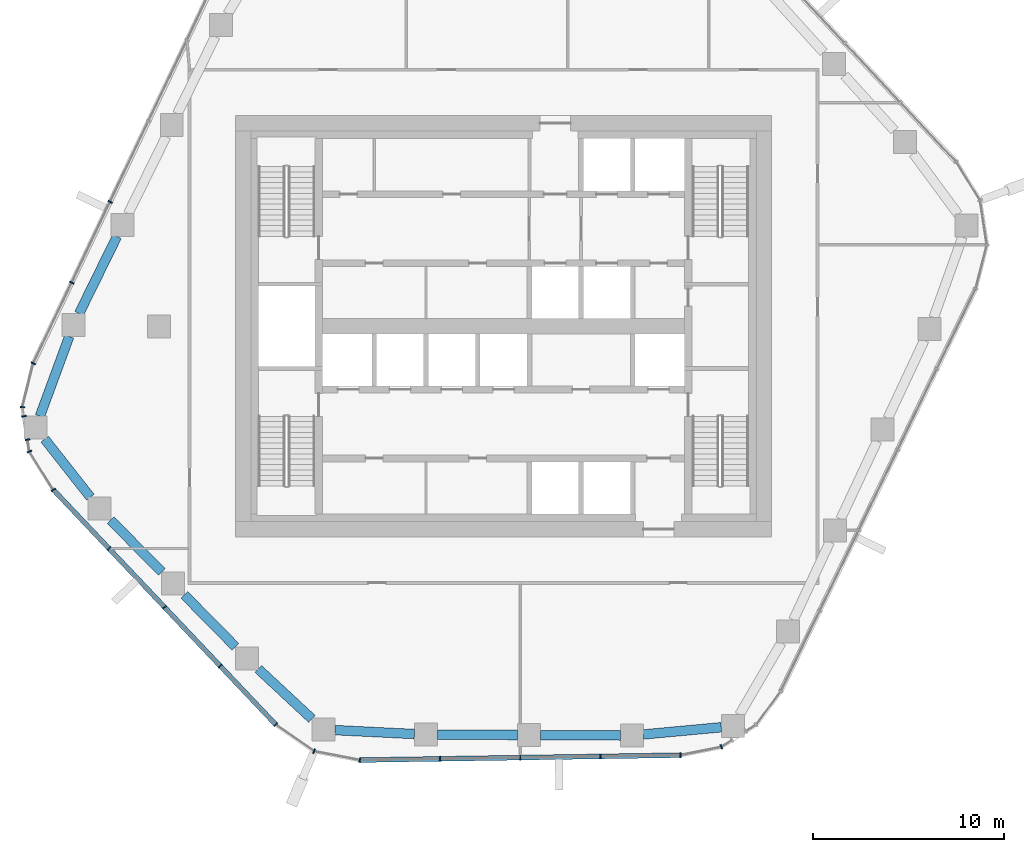
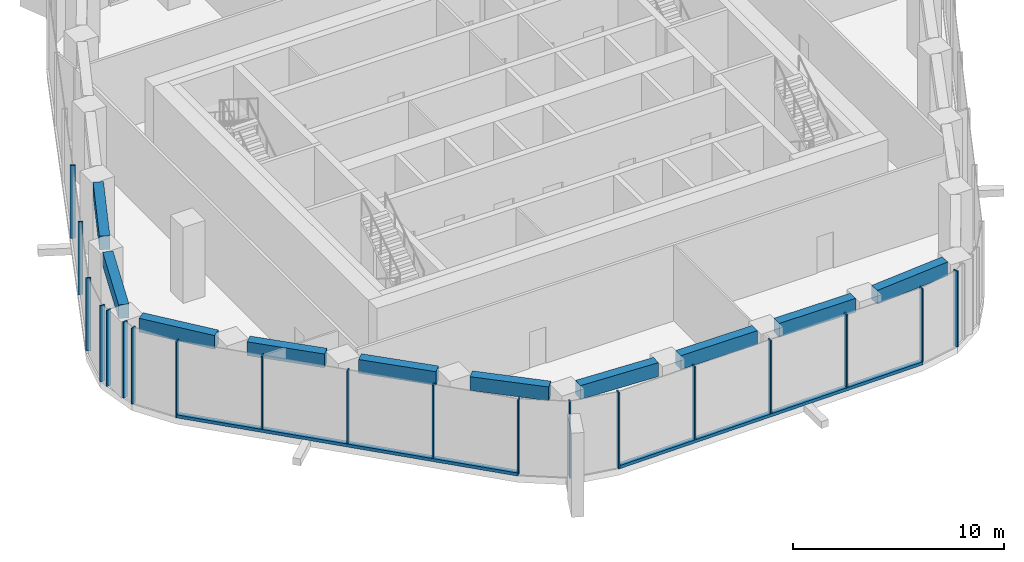
# One storey, part 2 of 16: 21 members, 10 beams, 7 elements without a shape of their own.
"""IFC4 building model written with IfcOpenShell, lengths in metres."""

from ifc_helpers import new_model, si_unit, direction, frame, origin, origin_2d, place, context, subcontext, project, spatial, rectangle, extrude, material, layer, layer_set, material_profile, profile_set, type_object, element, aggregate, save


model = new_model("IFC4")

# Units and contexts
model_context = context("Model", 3, precision=1e-05, world=origin(), true_north=direction((0.0, 1.0)))
body_context = subcontext(model_context, "Body", "Model", "MODEL_VIEW")
ifc_project = project(units=[si_unit("LENGTHUNIT", "METRE"), si_unit("AREAUNIT", "SQUARE_METRE"), si_unit("VOLUMEUNIT", "CUBIC_METRE"), si_unit("PLANEANGLEUNIT", "RADIAN"), si_unit("MASSUNIT", "GRAM", prefix="KILO")], contexts=[model_context])

# Site, building, storey
site_placement = place(None, origin())
site = spatial("IfcSite", under=ifc_project, at=site_placement, CompositionType="ELEMENT")
building_placement = place(site_placement, origin())
building = spatial("IfcBuilding", under=site, at=building_placement, Name="Dongbaek Canopy Tower", CompositionType="ELEMENT")
storey_placement = place(building_placement, frame((0.0, 0.0, 215.60009765625)))
storey = spatial("IfcBuildingStorey", under=building, at=storey_placement, Name="L45", CompositionType="ELEMENT", Elevation=215.60009765625)

# Curtain wall, members
ifc_material_1 = material(Name="Aluminium 6063-T6 pale anodised", Category="aluminium")
ifc_layer = layer(ifc_material_1, 0.25)
ifc_layer_set = layer_set([ifc_layer], Name="CW-4 sky-lobby curtain wall")
curtain_wall_type = type_object("IfcCurtainWallType", Name="CW-4 sky-lobby curtain wall", PredefinedType="NOTDEFINED", material=ifc_layer_set)
curtain_wall_1_placement = place(storey_placement, origin())
curtain_wall_1 = element("IfcCurtainWall", 1, at=curtain_wall_1_placement, inside=storey, type_object=curtain_wall_type, Name="CW-4 curtain wall F2.1", PredefinedType="NOTDEFINED")
ifc_material_2 = material(Name="Aluminium 6063-T6 pale anodised", Category="aluminium")
ifc_material_profile_1 = material_profile(ifc_material_2, rectangle(XDim=0.25, YDim=0.070068359375, at=origin_2d()), Name="CW-4 mullion 70 x 250")
ifc_profile_set_1 = profile_set([ifc_material_profile_1], Name="Aluminium 6063-T6 pale anodised")
member_type_1 = type_object("IfcMemberType", Name="CW-4 mullion 70 x 250", PredefinedType="MULLION", material=ifc_profile_set_1)
member_1_placement = place(storey_placement, frame((-20.548828125, 6.499755859375, 0.179931640625), z_axis=(0.0, 0.0, 1.0), x_axis=(-0.90312650955, 0.429374554146, 0.0)))
member_1 = element("IfcMember", 2, at=member_1_placement, type_object=member_type_1, Name="CW-4 mullion F2.1.4", PredefinedType="MULLION", context=body_context, shape_type="SweptSolid", body=[
    extrude(rectangle(XDim=0.25, YDim=0.070068359375, at=origin_2d()), origin(), (0.0, 0.0, 1.0), 4.219970703125),
])
member_2_placement = place(storey_placement, frame((-22.55615234375, 2.278076171875, 0.179931640625), z_axis=(0.0, 0.0, 1.0), x_axis=(-0.90312650955, 0.429374554146, 0.0)))
member_2 = element("IfcMember", 3, at=member_2_placement, type_object=member_type_1, Name="CW-4 mullion F2.1.5", PredefinedType="MULLION", context=body_context, shape_type="SweptSolid", body=[
    extrude(rectangle(XDim=0.25, YDim=0.070068359375, at=origin_2d()), origin(), (0.0, 0.0, 1.0), 4.219970703125),
])
member_3_placement = place(storey_placement, frame((-24.558837890625, -1.9345703125, 0.179931640625), z_axis=(0.0, 0.0, 1.0), x_axis=(-0.90312650955, 0.429374554146, 0.0)))
member_3 = element("IfcMember", 4, at=member_3_placement, type_object=member_type_1, Name="CW-4 mullion F2.1.6", PredefinedType="MULLION", context=body_context, shape_type="SweptSolid", body=[
    extrude(rectangle(XDim=0.25, YDim=0.070068359375, at=origin_2d()), origin(), (0.0, 0.0, 1.0), 4.219970703125),
])
aggregate(curtain_wall_1, [member_1, member_2, member_3])

curtain_wall_2_placement = place(storey_placement, origin())
curtain_wall_2 = element("IfcCurtainWall", 5, at=curtain_wall_2_placement, inside=storey, type_object=curtain_wall_type, Name="CW-4 curtain wall K3.1a", PredefinedType="NOTDEFINED")
member_4_placement = place(storey_placement, frame((-25.127197265625, -4.22265625, 0.0), z_axis=(0.0, 0.0, 1.0), x_axis=(-0.999069486431, 0.043129587085, 0.0)))
member_4 = element("IfcMember", 6, at=member_4_placement, type_object=member_type_1, Name="CW-4 mullion K3.1a.2", PredefinedType="MULLION", context=body_context, shape_type="SweptSolid", body=[
    extrude(rectangle(XDim=0.25, YDim=0.070068359375, at=origin_2d()), origin(), (0.0, 0.0, 1.0), 4.39990234375),
])
member_5_placement = place(storey_placement, frame((-25.052001953125, -4.69677734375, 0.0), z_axis=(0.0, 0.0, 1.0), x_axis=(-0.987671756549, -0.156539136688, 0.0)))
member_5 = element("IfcMember", 7, at=member_5_placement, type_object=member_type_1, Name="CW-4 mullion K3.1a.3", PredefinedType="MULLION", context=body_context, shape_type="SweptSolid", body=[
    extrude(rectangle(XDim=0.25, YDim=0.070068359375, at=origin_2d()), origin(), (0.0, 0.0, 1.0), 4.39990234375),
])
aggregate(curtain_wall_2, [member_4, member_5])

curtain_wall_3_placement = place(storey_placement, origin())
curtain_wall_3 = element("IfcCurtainWall", 8, at=curtain_wall_3_placement, inside=storey, type_object=curtain_wall_type, Name="CW-4 curtain wall K3.1b", PredefinedType="NOTDEFINED")
member_6_placement = place(storey_placement, frame((-24.8583984375, -5.918212890625, 0.0), z_axis=(0.0, 0.0, 1.0), x_axis=(-0.987671756549, -0.156539136688, 0.0)))
member_6 = element("IfcMember", 9, at=member_6_placement, type_object=member_type_1, Name="CW-4 mullion K3.1b.1", PredefinedType="MULLION", context=body_context, shape_type="SweptSolid", body=[
    extrude(rectangle(XDim=0.25, YDim=0.070068359375, at=origin_2d()), origin(), (0.0, 0.0, 1.0), 4.39990234375),
])
member_7_placement = place(storey_placement, frame((-24.759765625, -6.541015625, 0.0), z_axis=(0.0, 0.0, 1.0), x_axis=(-0.936769618178, -0.349946685167, 0.0)))
member_7 = element("IfcMember", 10, at=member_7_placement, type_object=member_type_1, Name="CW-4 mullion K3.1b.2", PredefinedType="MULLION", context=body_context, shape_type="SweptSolid", body=[
    extrude(rectangle(XDim=0.25, YDim=0.070068359375, at=origin_2d()), origin(), (0.0, 0.0, 1.0), 4.39990234375),
])
member_8_placement = place(storey_placement, frame((-23.51171875, -8.541015625, 0.0), z_axis=(0.0, 0.0, 1.0), x_axis=(-0.848399029977, -0.529357238482, 0.0)))
member_8 = element("IfcMember", 11, at=member_8_placement, type_object=member_type_1, Name="CW-4 mullion K3.1b.3", PredefinedType="MULLION", context=body_context, shape_type="SweptSolid", body=[
    extrude(rectangle(XDim=0.25, YDim=0.070068359375, at=origin_2d()), origin(), (0.0, 0.0, 1.0), 4.39990234375),
])
aggregate(curtain_wall_3, [member_6, member_7, member_8])

curtain_wall_4_placement = place(storey_placement, origin())
curtain_wall_4 = element("IfcCurtainWall", 12, at=curtain_wall_4_placement, inside=storey, type_object=curtain_wall_type, Name="CW-4 curtain wall F3.1", PredefinedType="NOTDEFINED")
member_9_placement = place(storey_placement, frame((-20.611572265625, -11.603759765625, 0.179931640625), z_axis=(0.0, 0.0, 1.0), x_axis=(-0.726094595201, -0.687594821694, 0.0)))
member_9 = element("IfcMember", 13, at=member_9_placement, type_object=member_type_1, Name="CW-4 mullion F3.1.2", PredefinedType="MULLION", context=body_context, shape_type="SweptSolid", body=[
    extrude(rectangle(XDim=0.25, YDim=0.070068359375, at=origin_2d()), origin(), (0.0, 0.0, 1.0), 4.219970703125),
])
member_10_placement = place(storey_placement, frame((-17.7041015625, -14.673828125, 0.179931640625), z_axis=(0.0, 0.0, 1.0), x_axis=(-0.726094595201, -0.687594821694, 0.0)))
member_10 = element("IfcMember", 14, at=member_10_placement, type_object=member_type_1, Name="CW-4 mullion F3.1.3", PredefinedType="MULLION", context=body_context, shape_type="SweptSolid", body=[
    extrude(rectangle(XDim=0.25, YDim=0.070068359375, at=origin_2d()), origin(), (0.0, 0.0, 1.0), 4.219970703125),
])
member_11_placement = place(storey_placement, frame((-14.796875, -17.743896484375, 0.179931640625), z_axis=(0.0, 0.0, 1.0), x_axis=(-0.726094595201, -0.687594821694, 0.0)))
member_11 = element("IfcMember", 15, at=member_11_placement, type_object=member_type_1, Name="CW-4 mullion F3.1.4", PredefinedType="MULLION", context=body_context, shape_type="SweptSolid", body=[
    extrude(rectangle(XDim=0.25, YDim=0.070068359375, at=origin_2d()), origin(), (0.0, 0.0, 1.0), 4.219970703125),
])
member_12_placement = place(storey_placement, frame((-11.89697265625, -20.806396484375, 0.179931640625), z_axis=(0.0, 0.0, 1.0), x_axis=(-0.726094595201, -0.687594821694, 0.0)))
member_12 = element("IfcMember", 16, at=member_12_placement, type_object=member_type_1, Name="CW-4 mullion F3.1.5", PredefinedType="MULLION", context=body_context, shape_type="SweptSolid", body=[
    extrude(rectangle(XDim=0.25, YDim=0.070068359375, at=origin_2d()), origin(), (0.0, 0.0, 1.0), 4.219970703125),
])

curtain_wall_5_placement = place(storey_placement, origin())
curtain_wall_5 = element("IfcCurtainWall", 17, at=curtain_wall_5_placement, inside=storey, type_object=curtain_wall_type, Name="CW-4 curtain wall K4.1", PredefinedType="NOTDEFINED")
member_13_placement = place(storey_placement, frame((-9.895263671875, -22.1923828125, 0.0), z_axis=(0.0, 0.0, 1.0), x_axis=(-0.388184312756, -0.921581759439, 0.0)))
member_13 = element("IfcMember", 18, at=member_13_placement, type_object=member_type_1, Name="CW-4 mullion K4.1.2", PredefinedType="MULLION", context=body_context, shape_type="SweptSolid", body=[
    extrude(rectangle(XDim=0.25, YDim=0.070068359375, at=origin_2d()), origin(), (0.0, 0.0, 1.0), 4.39990234375),
])
member_14_placement = place(storey_placement, frame((-7.505126953125, -22.65625, 0.0), z_axis=(0.0, 0.0, 1.0), x_axis=(-0.190506816462, -0.981685872813, 0.0)))
member_14 = element("IfcMember", 19, at=member_14_placement, type_object=member_type_1, Name="CW-4 mullion K4.1.3", PredefinedType="MULLION", context=body_context, shape_type="SweptSolid", body=[
    extrude(rectangle(XDim=0.25, YDim=0.070068359375, at=origin_2d()), origin(), (0.0, 0.0, 1.0), 4.39990234375),
])
aggregate(curtain_wall_5, [member_13, member_14])

curtain_wall_6_placement = place(storey_placement, origin())
curtain_wall_6 = element("IfcCurtainWall", 20, at=curtain_wall_6_placement, inside=storey, type_object=curtain_wall_type, Name="CW-4 curtain wall F4.1", PredefinedType="NOTDEFINED")
member_15_placement = place(storey_placement, frame((-3.322021484375, -22.59228515625, 0.179931640625), z_axis=(0.0, 0.0, 1.0), x_axis=(0.015303205695, -0.999882899091, 0.0)))
member_15 = element("IfcMember", 21, at=member_15_placement, type_object=member_type_1, Name="CW-4 mullion F4.1.2", PredefinedType="MULLION", context=body_context, shape_type="SweptSolid", body=[
    extrude(rectangle(XDim=0.25, YDim=0.070068359375, at=origin_2d()), origin(), (0.0, 0.0, 1.0), 4.219970703125),
])
member_16_placement = place(storey_placement, frame((0.871337890625, -22.528076171875, 0.179931640625), z_axis=(0.0, 0.0, 1.0), x_axis=(0.015303205695, -0.999882899091, 0.0)))
member_16 = element("IfcMember", 22, at=member_16_placement, type_object=member_type_1, Name="CW-4 mullion F4.1.3", PredefinedType="MULLION", context=body_context, shape_type="SweptSolid", body=[
    extrude(rectangle(XDim=0.25, YDim=0.070068359375, at=origin_2d()), origin(), (0.0, 0.0, 1.0), 4.219970703125),
])
member_17_placement = place(storey_placement, frame((5.064697265625, -22.4638671875, 0.179931640625), z_axis=(0.0, 0.0, 1.0), x_axis=(0.015303205695, -0.999882899091, 0.0)))
member_17 = element("IfcMember", 23, at=member_17_placement, type_object=member_type_1, Name="CW-4 mullion F4.1.4", PredefinedType="MULLION", context=body_context, shape_type="SweptSolid", body=[
    extrude(rectangle(XDim=0.25, YDim=0.070068359375, at=origin_2d()), origin(), (0.0, 0.0, 1.0), 4.219970703125),
])
member_18_placement = place(storey_placement, frame((9.2490234375, -22.39990234375, 0.179931640625), z_axis=(0.0, 0.0, 1.0), x_axis=(0.015303205695, -0.999882899091, 0.0)))
member_18 = element("IfcMember", 24, at=member_18_placement, type_object=member_type_1, Name="CW-4 mullion F4.1.5", PredefinedType="MULLION", context=body_context, shape_type="SweptSolid", body=[
    extrude(rectangle(XDim=0.25, YDim=0.070068359375, at=origin_2d()), origin(), (0.0, 0.0, 1.0), 4.219970703125),
])

# Curtain wall, member
curtain_wall_7_placement = place(storey_placement, origin())
curtain_wall_7 = element("IfcCurtainWall", 25, at=curtain_wall_7_placement, inside=storey, type_object=curtain_wall_type, Name="CW-4 curtain wall K5.1a", PredefinedType="NOTDEFINED")
member_19_placement = place(storey_placement, frame((11.375, -21.969970703125, 0.0), z_axis=(0.0, 0.0, 1.0), x_axis=(0.374215560719, -0.92734174613, 0.0)))
member_19 = element("IfcMember", 26, at=member_19_placement, type_object=member_type_1, Name="CW-4 mullion K5.1a.2", PredefinedType="MULLION", context=body_context, shape_type="SweptSolid", body=[
    extrude(rectangle(XDim=0.25, YDim=0.070068359375, at=origin_2d()), origin(), (0.0, 0.0, 1.0), 4.39990234375),
])
aggregate(curtain_wall_7, [member_19])

# Member
ifc_material_3 = material(Name="Aluminium 6063-T6 pale anodised", Category="aluminium")
ifc_material_profile_2 = material_profile(ifc_material_3, rectangle(XDim=0.25, YDim=0.179931640625, at=origin_2d()), Name="CW-4 transom 180 x 250")
ifc_profile_set_2 = profile_set([ifc_material_profile_2], Name="Aluminium 6063-T6 pale anodised")
member_type_2 = type_object("IfcMemberType", Name="CW-4 transom 180 x 250", PredefinedType="USERDEFINED", material=ifc_profile_set_2)
member_20_placement = place(storey_placement, frame((-23.51171875, -8.541015625, 0.08984375), z_axis=(0.687585880822, -0.726103061896, 0.0), x_axis=(0.726103061896, 0.687585880822, 0.0)))
member_20 = element("IfcMember", 27, at=member_20_placement, type_object=member_type_2, Name="CW-4 transom F3.1.1", ObjectType="TRANSOM", PredefinedType="USERDEFINED", context=body_context, shape_type="SweptSolid", body=[
    extrude(rectangle(XDim=0.25, YDim=0.179931640625, at=origin_2d()), origin(), (0.0, 0.0, 1.0), 16.89208984375),
])

aggregate(curtain_wall_4, [member_9, member_10, member_11, member_12, member_20])

member_21_placement = place(storey_placement, frame((-7.505126953125, -22.65625, 0.08984375), z_axis=(0.999882967187, 0.015298755782, 0.0), x_axis=(-0.015298755782, 0.999882967187, 0.0)))
member_21 = element("IfcMember", 28, at=member_21_placement, type_object=member_type_2, Name="CW-4 transom F4.1.1", ObjectType="TRANSOM", PredefinedType="USERDEFINED", context=body_context, shape_type="SweptSolid", body=[
    extrude(rectangle(XDim=0.25, YDim=0.179931640625, at=origin_2d()), origin(), (0.0, 0.0, 1.0), 16.756103515625),
])

aggregate(curtain_wall_6, [member_15, member_16, member_17, member_18, member_21])

# Beams
ifc_material_4 = material(Name="Concrete C70", Category="concrete")
ifc_material_profile_3 = material_profile(ifc_material_4, rectangle(XDim=0.5, YDim=0.800048828125, at=origin_2d()), Name="RC EDGE BEAM 500x800 C70")
ifc_profile_set_3 = profile_set([ifc_material_profile_3], Name="Concrete C70")
beam_type = type_object("IfcBeamType", Name="RC EDGE BEAM 500x800 C70", PredefinedType="BEAM", material=ifc_profile_set_3)
beam_1_placement = place(storey_placement, frame((11.3720703125, -20.9404296875, 4.0), z_axis=(-0.995763065099, -0.091956066598, 0.0), x_axis=(0.091956066598, -0.995763065099, 0.0)))
element("IfcBeam", 29, at=beam_1_placement, inside=storey, type_object=beam_type, Name="EDGEBEAM:L45:00", PredefinedType="BEAM", context=body_context, shape_type="SweptSolid", body=[
    extrude(rectangle(XDim=0.5, YDim=0.800048828125, at=origin_2d()), origin(), (0.0, 0.0, 1.0), 4.09130859375),
])
beam_2_placement = place(storey_placement, frame((6.097900390625, -21.369384765625, 4.0), z_axis=(-0.999989872655, 0.004500509685, 0.0), x_axis=(-0.004500509685, -0.999989872655, 0.0)))
element("IfcBeam", 30, at=beam_2_placement, inside=storey, type_object=beam_type, Name="EDGEBEAM:L45:01", PredefinedType="BEAM", context=body_context, shape_type="SweptSolid", body=[
    extrude(rectangle(XDim=0.5, YDim=0.800048828125, at=origin_2d()), origin(), (0.0, 0.0, 1.0), 4.177001953125),
])
beam_3_placement = place(storey_placement, frame((0.720947265625, -21.34521484375, 4.0), z_axis=(-0.999990129376, 0.004443101423, 0.0), x_axis=(-0.004443101423, -0.999990129376, 0.0)))
element("IfcBeam", 31, at=beam_3_placement, inside=storey, type_object=beam_type, Name="EDGEBEAM:L45:02", PredefinedType="BEAM", context=body_context, shape_type="SweptSolid", body=[
    extrude(rectangle(XDim=0.5, YDim=0.800048828125, at=origin_2d()), origin(), (0.0, 0.0, 1.0), 4.176025390625),
])
beam_4_placement = place(storey_placement, frame((-4.655029296875, -21.29443359375, 4.0), z_axis=(-0.998797460552, 0.04902685789, 0.0), x_axis=(-0.04902685789, -0.998797460552, 0.0)))
element("IfcBeam", 32, at=beam_4_placement, inside=storey, type_object=beam_type, Name="EDGEBEAM:L45:03", PredefinedType="BEAM", context=body_context, shape_type="SweptSolid", body=[
    extrude(rectangle(XDim=0.5, YDim=0.800048828125, at=origin_2d()), origin(), (0.0, 0.0, 1.0), 4.157958984375),
])
beam_5_placement = place(storey_placement, frame((-10.008056640625, -20.5029296875, 4.0), z_axis=(-0.732259249265, 0.681025984722, 0.0), x_axis=(-0.681025984722, -0.732259249265, 0.0)))
element("IfcBeam", 33, at=beam_5_placement, inside=storey, type_object=beam_type, Name="EDGEBEAM:L45:04", PredefinedType="BEAM", context=body_context, shape_type="SweptSolid", body=[
    extrude(rectangle(XDim=0.5, YDim=0.800048828125, at=origin_2d()), origin(), (0.0, 0.0, 1.0), 3.826416015625),
])
beam_6_placement = place(storey_placement, frame((-14.0009765625, -16.739013671875, 4.0), z_axis=(-0.701688575516, 0.71248378437, 0.0), x_axis=(-0.71248378437, -0.701688575516, 0.0)))
element("IfcBeam", 34, at=beam_6_placement, inside=storey, type_object=beam_type, Name="EDGEBEAM:L45:05", PredefinedType="BEAM", context=body_context, shape_type="SweptSolid", body=[
    extrude(rectangle(XDim=0.5, YDim=0.800048828125, at=origin_2d()), origin(), (0.0, 0.0, 1.0), 3.79931640625),
])
beam_7_placement = place(storey_placement, frame((-17.848876953125, -12.83203125, 4.0), z_axis=(-0.701721192392, 0.712451660218, 0.0), x_axis=(-0.712451660218, -0.701721192392, 0.0)))
element("IfcBeam", 35, at=beam_7_placement, inside=storey, type_object=beam_type, Name="EDGEBEAM:L45:06", PredefinedType="BEAM", context=body_context, shape_type="SweptSolid", body=[
    extrude(rectangle(XDim=0.5, YDim=0.800048828125, at=origin_2d()), origin(), (0.0, 0.0, 1.0), 3.799560546875),
])
beam_8_placement = place(storey_placement, frame((-21.578125, -8.925048828125, 4.0), z_axis=(-0.618344214718, 0.785907394115, 0.0), x_axis=(-0.785907394115, -0.618344214718, 0.0)))
element("IfcBeam", 36, at=beam_8_placement, inside=storey, type_object=beam_type, Name="EDGEBEAM:L45:07", PredefinedType="BEAM", context=body_context, shape_type="SweptSolid", body=[
    extrude(rectangle(XDim=0.5, YDim=0.800048828125, at=origin_2d()), origin(), (0.0, 0.0, 1.0), 3.856689453125),
])
beam_9_placement = place(storey_placement, frame((-24.214111328125, -4.694091796875, 4.0), z_axis=(0.34534810305, 0.938474660137, 0.0), x_axis=(-0.938474660137, 0.34534810305, 0.0)))
element("IfcBeam", 37, at=beam_9_placement, inside=storey, type_object=beam_type, Name="EDGEBEAM:L45:08", PredefinedType="BEAM", context=body_context, shape_type="SweptSolid", body=[
    extrude(rectangle(XDim=0.5, YDim=0.800048828125, at=origin_2d()), origin(), (0.0, 0.0, 1.0), 4.433837890625),
])
beam_10_placement = place(storey_placement, frame((-22.1669921875, 0.6669921875, 4.0), z_axis=(0.441142658474, 0.897436992147, 0.0), x_axis=(-0.897436992147, 0.441142658474, 0.0)))
element("IfcBeam", 38, at=beam_10_placement, inside=storey, type_object=beam_type, Name="EDGEBEAM:L45:09", PredefinedType="BEAM", context=body_context, shape_type="SweptSolid", body=[
    extrude(rectangle(XDim=0.5, YDim=0.800048828125, at=origin_2d()), origin(), (0.0, 0.0, 1.0), 4.4794921875),
])

save(model, "model.ifc")
